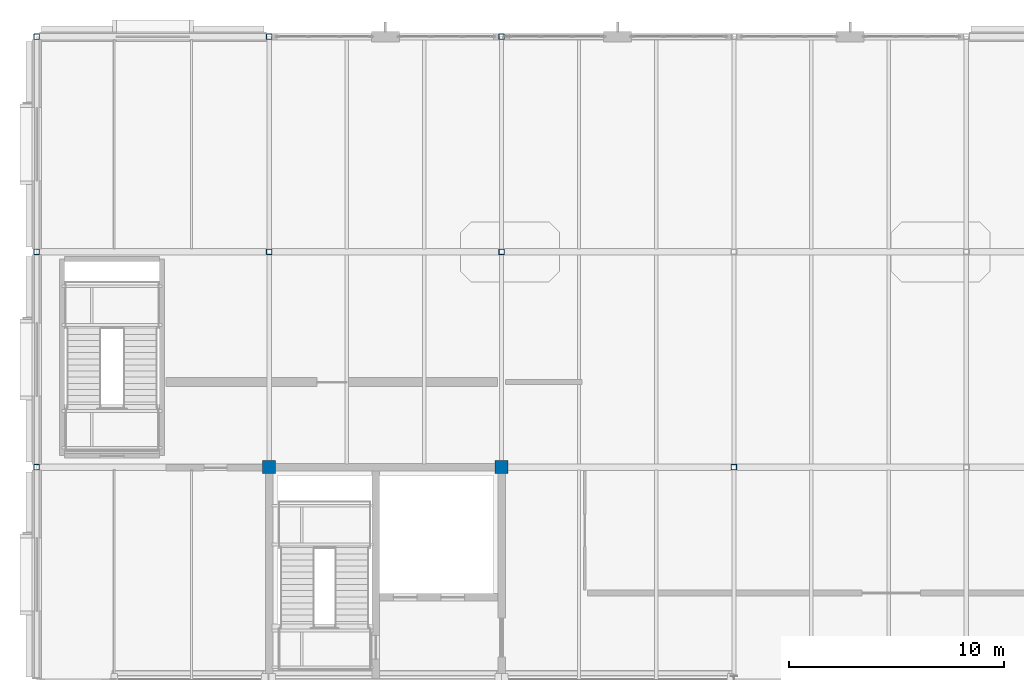
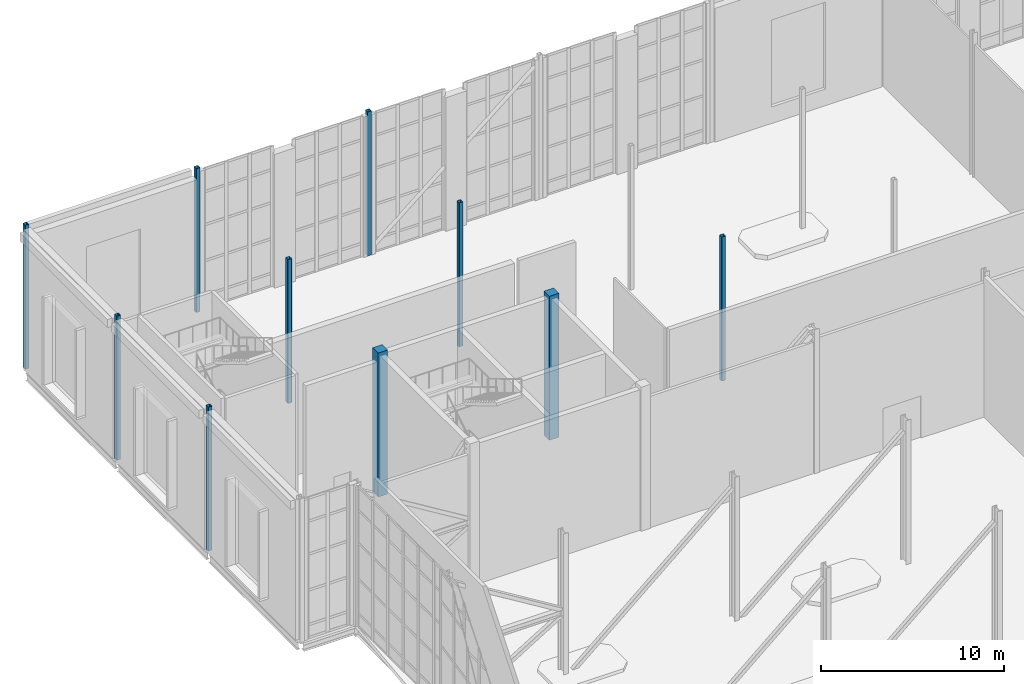
# One storey, part 8 of 100: 10 columns.
"""IFC4 building model written with IfcOpenShell, lengths in metres."""

from ifc_helpers import new_model, si_unit, direction, frame, origin, origin_2d, place, context, subcontext, project, spatial, rectangle, hollow_rectangle, extrude, material, material_profile, profile_set, type_object, element, save


model = new_model("IFC4")

# Units and contexts
model_context = context("Model", 3, precision=1e-05, world=origin(), true_north=direction((0.0, 1.0)))
body_context = subcontext(model_context, "Body", "Model", "MODEL_VIEW")
ifc_project = project(units=[si_unit("LENGTHUNIT", "METRE"), si_unit("AREAUNIT", "SQUARE_METRE"), si_unit("VOLUMEUNIT", "CUBIC_METRE"), si_unit("PLANEANGLEUNIT", "RADIAN"), si_unit("MASSUNIT", "GRAM", prefix="KILO")], contexts=[model_context])

# Site, building, storey
site_placement = place(None, origin())
site = spatial("IfcSite", under=ifc_project, at=site_placement, CompositionType="ELEMENT")
building_placement = place(site_placement, origin())
building = spatial("IfcBuilding", under=site, at=building_placement, Name="Tasgan Crest Museum", CompositionType="ELEMENT")
storey_placement = place(building_placement, frame((0.0, 0.0, 14.39990234375)))
storey = spatial("IfcBuildingStorey", under=building, at=storey_placement, Name="L03", CompositionType="ELEMENT", Elevation=14.39990234375)

# Columns
ifc_material_1 = material(Name="Concrete C40/50", Category="concrete")
ifc_material_profile_1 = material_profile(ifc_material_1, rectangle(XDim=0.60009765625, YDim=0.60009765625, at=origin_2d()), Name="RC 600x600")
ifc_profile_set_1 = profile_set([ifc_material_profile_1], Name="Concrete C40/50")
column_type_1 = type_object("IfcColumnType", Name="COL-RC600", PredefinedType="COLUMN", material=ifc_profile_set_1)
for number, where, z_axis, x_axis, name in (
    (1, (10.800048828125, 92.0, 0.0), (0.0, 0.0, 1.0), (1.0, 0.0, 0.0), "Column 2/K L03"),
    (2, (21.60009765625, 92.0, 0.0), (0.0, 0.0, 1.0), (1.0, 0.0, 0.0), "Column 3/K L03"),
):
    element("IfcColumn", number, at=place(storey_placement, frame(where, z_axis=z_axis, x_axis=x_axis)), inside=storey, type_object=column_type_1, Name=name, PredefinedType="COLUMN", context=body_context, shape_type="SweptSolid", body=[
        extrude(rectangle(XDim=0.60009765625, YDim=0.60009765625, at=origin_2d()), origin(), (0.0, 0.0, 1.0), 9.60009765625),
    ])
ifc_material_2 = material(Name="Steel S355K2", Category="steel")
ifc_material_profile_2 = material_profile(ifc_material_2, hollow_rectangle(XDim=0.260009765625, YDim=0.260009765625, WallThickness=0.01416015625, InnerFilletRadius=0.01416015625, OuterFilletRadius=0.0283203125, at=origin_2d()), Name="SHS 260x260x14.2")
ifc_profile_set_2 = profile_set([ifc_material_profile_2], Name="Steel S355K2")
column_type_2 = type_object("IfcColumnType", Name="COL-SHS260", PredefinedType="COLUMN", material=ifc_profile_set_2)
for number, where, z_axis, x_axis, name in (
    (3, (0.0, 92.0, 0.0), (0.0, 0.0, 1.0), (1.0, 0.0, 0.0), "Column 1/K L03"),
    (4, (0.0, 102.0, 0.0), (0.0, 0.0, 1.0), (1.0, 0.0, 0.0), "Column 1/L L03"),
    (5, (0.0, 112.0, 0.0), (0.0, 0.0, 1.0), (1.0, 0.0, 0.0), "Column 1/M L03"),
    (6, (10.800048828125, 102.0, 0.0), (0.0, 0.0, 1.0), (1.0, 0.0, 0.0), "Column 2/L L03"),
    (7, (10.800048828125, 112.0, 0.0), (0.0, 0.0, 1.0), (1.0, 0.0, 0.0), "Column 2/M L03"),
    (8, (21.60009765625, 102.0, 0.0), (0.0, 0.0, 1.0), (1.0, 0.0, 0.0), "Column 3/L L03"),
    (9, (21.60009765625, 112.0, 0.0), (0.0, 0.0, 1.0), (1.0, 0.0, 0.0), "Column 3/M L03"),
    (10, (32.39990234375, 92.0, 0.0), (0.0, 0.0, 1.0), (1.0, 0.0, 0.0), "Column 4/K L03"),
):
    element("IfcColumn", number, at=place(storey_placement, frame(where, z_axis=z_axis, x_axis=x_axis)), inside=storey, type_object=column_type_2, Name=name, PredefinedType="COLUMN", context=body_context, shape_type="SweptSolid", body=[
        extrude(hollow_rectangle(XDim=0.260009765625, YDim=0.260009765625, WallThickness=0.01416015625, InnerFilletRadius=0.01416015625, OuterFilletRadius=0.0283203125, at=origin_2d()), origin(), (0.0, 0.0, 1.0), 9.60009765625),
    ])

save(model, "model.ifc")
